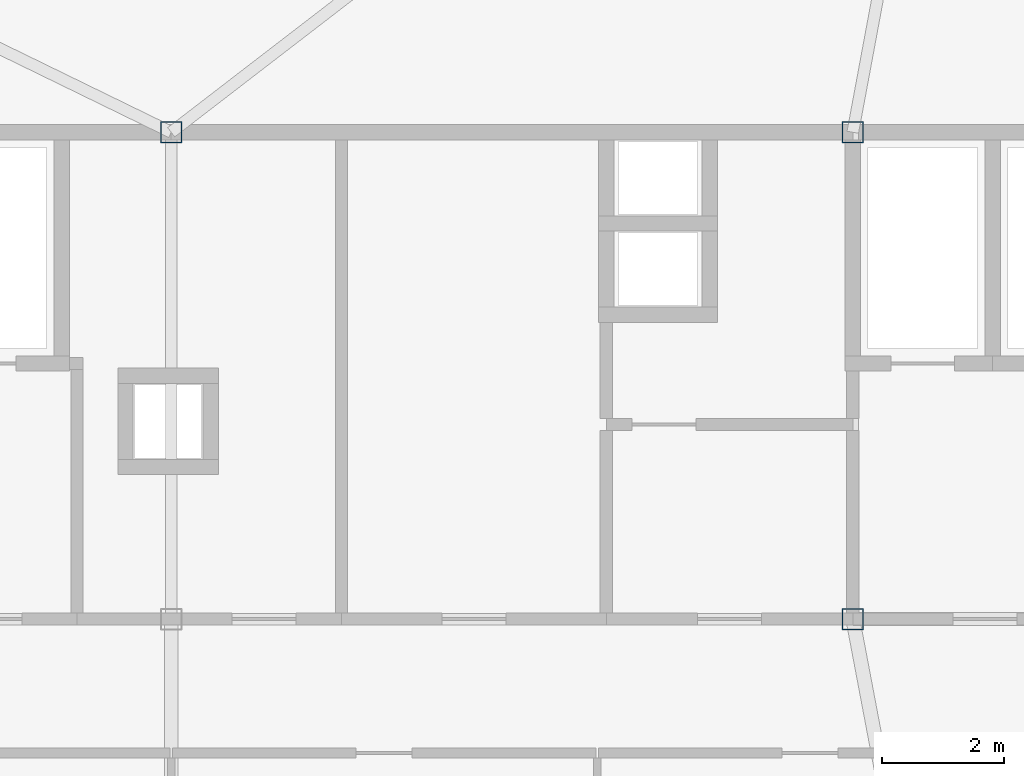
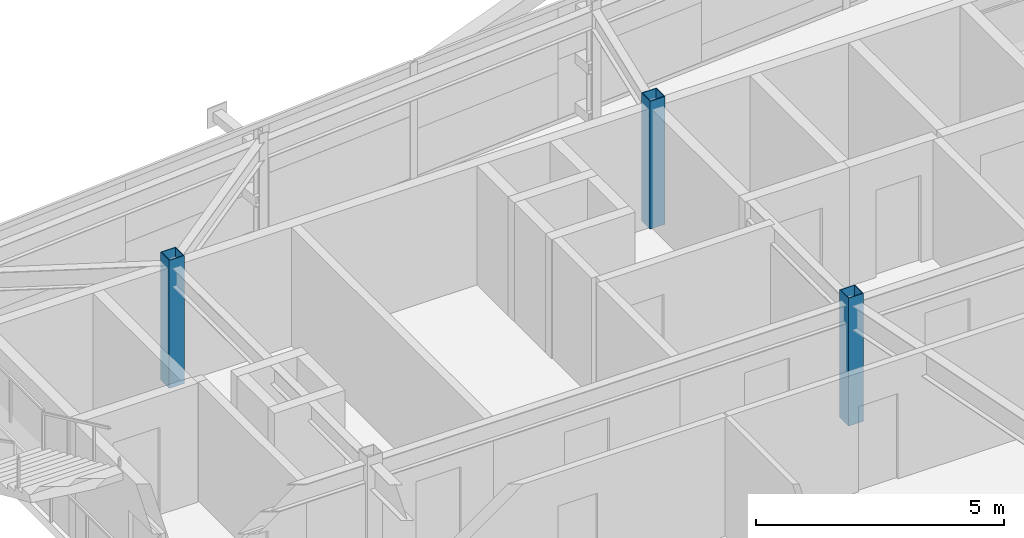
# One storey, part 3 of 37: 3 columns.
"""IFC4 building model written with IfcOpenShell, lengths in metres."""

import ifcopenshell
import ifcopenshell.guid

model = None  # the IFC model being written
_history = None  # IfcOwnerHistory: only IFC2X3 demands one
_inside = {}  # id of a spatial element -> (the spatial element, [elements in it])
_under = {}  # id of a project, library or spatial element -> (it, [spatial elements below it])
_declared = {}  # id of a project -> (the project, [libraries it declares])
_typed = {}  # id of a type object -> (the type object, [elements of that type])
_made_of = {}  # id of a material, layer set ... -> (it, [elements and type objects made of it])


def new_model(schema):
    """Start an empty IFC model of exactly this schema.

    Asked for "IFC4X3", IfcOpenShell would pick the latest addendum, in which some entities
    have other attributes; the version numbers below select the first issue.
    IFC2X3 requires an IfcOwnerHistory on every rooted entity: one is made here for all.
    """
    global model, _history
    if schema == "IFC4X3":
        model = ifcopenshell.file(schema_version=(4, 3, 0, 0))
    else:
        model = ifcopenshell.file(schema=schema)
    _inside.clear()
    _under.clear()
    _declared.clear()
    _typed.clear()
    _made_of.clear()
    _history = None
    if model.schema == "IFC2X3":
        org = make("IfcOrganization", Name="unknown")
        user = make(
            "IfcPersonAndOrganization",
            ThePerson=make("IfcPerson", FamilyName="unknown"),
            TheOrganization=org,
        )
        app = make(
            "IfcApplication",
            ApplicationDeveloper=org,
            Version="unknown",
            ApplicationFullName="unknown",
            ApplicationIdentifier="unknown",
        )
        _history = make(
            "IfcOwnerHistory",
            OwningUser=user,
            OwningApplication=app,
            ChangeAction="ADDED",
            CreationDate=0,
        )
    return model


def make(cls, **values):
    """One entity of the class cls with the attributes given. An attribute that is None is left unset."""
    return model.create_entity(
        cls, **{name: value for name, value in values.items() if value is not None}
    )


def rooted(cls, **values):
    """An entity with a GlobalId (a new one), such as an element, a storey or a relation."""
    return make(cls, GlobalId=ifcopenshell.guid.new(), OwnerHistory=_history, **values)


def si_unit(unit_type, name, prefix=None):
    """IfcSIUnit, for example si_unit("LENGTHUNIT", "METRE", prefix="MILLI")."""
    return make("IfcSIUnit", UnitType=unit_type, Prefix=prefix, Name=name)


def assignment(units):
    """IfcUnitAssignment: the units of a project."""
    return None if units is None else make("IfcUnitAssignment", Units=units)


def point(xyz):
    """IfcCartesianPoint."""
    return None if xyz is None else make("IfcCartesianPoint", Coordinates=xyz)


def direction(xyz):
    """IfcDirection."""
    return None if xyz is None else make("IfcDirection", DirectionRatios=xyz)


def frame(location, z_axis=None, x_axis=None):
    """IfcAxis2Placement3D, a coordinate frame: its origin and axes. An axis left out is left unset."""
    return make(
        "IfcAxis2Placement3D",
        Location=point(location),
        Axis=direction(z_axis),
        RefDirection=direction(x_axis),
    )


def frame_2d(location, x_axis=None):
    """IfcAxis2Placement2D, a coordinate frame in the plane: its origin and x axis."""
    return make(
        "IfcAxis2Placement2D", Location=point(location), RefDirection=direction(x_axis)
    )


def origin():
    """The frame at (0, 0, 0) with its axes left unset."""
    return frame((0.0, 0.0, 0.0))


def origin_2d():
    """The frame at (0, 0) in the plane with its x axis left unset."""
    return frame_2d((0.0, 0.0))


def place(relative_to, where):
    """IfcLocalPlacement: puts the frame where relative to a parent placement (None: the world)."""
    return make(
        "IfcLocalPlacement", PlacementRelTo=relative_to, RelativePlacement=where
    )


def context(
    kind, dimensions, precision=None, world=None, true_north=None, identifier=None
):
    """IfcGeometricRepresentationContext, for example the 3D "Model" context."""
    return make(
        "IfcGeometricRepresentationContext",
        ContextIdentifier=identifier,
        ContextType=kind,
        CoordinateSpaceDimension=dimensions,
        Precision=precision,
        WorldCoordinateSystem=world,
        TrueNorth=true_north,
    )


def subcontext(parent, identifier, kind, view, scale=None):
    """IfcGeometricRepresentationSubContext, for example "Body" below "Model"."""
    return make(
        "IfcGeometricRepresentationSubContext",
        ContextIdentifier=identifier,
        ContextType=kind,
        ParentContext=parent,
        TargetScale=scale,
        TargetView=view,
    )


def project(units=None, contexts=None):
    """IfcProject with its units and contexts."""
    return rooted(
        "IfcProject",
        Name="project",
        RepresentationContexts=contexts,
        UnitsInContext=assignment(units),
    )


def spatial(cls, under=None, at=None, **own):
    """A site, building, storey or space (cls), placed at a placement, below another one or the project."""
    s = rooted(cls, ObjectPlacement=at, **own)
    if under is not None:
        _under.setdefault(under.id(), (under, []))[1].append(s)
    return s


def profile(cls, at=None, kind="AREA", **sizes):
    """A parametric profile (cls). Its sizes go by their IFC names, for example OverallWidth=200.0."""
    return make(cls, ProfileType=kind, Position=at, **sizes)


def hollow_rectangle(**sizes):
    """IfcRectangleHollowProfileDef."""
    return profile("IfcRectangleHollowProfileDef", **sizes)


def extrude(swept, where, along, depth):
    """IfcExtrudedAreaSolid: the profile swept, set in the frame where, extruded along a direction by depth."""
    return make(
        "IfcExtrudedAreaSolid",
        SweptArea=swept,
        Position=where,
        ExtrudedDirection=direction(along),
        Depth=depth,
    )


def shape(context_of_items, identifier, shape_type, items):
    """IfcShapeRepresentation: the items that make up one representation, for example the "Body"."""
    return make(
        "IfcShapeRepresentation",
        ContextOfItems=context_of_items,
        RepresentationIdentifier=identifier,
        RepresentationType=shape_type,
        Items=items,
    )


def source(mapping_origin, context_of_items, identifier, shape_type, items):
    """IfcRepresentationMap: a shape defined once, which mapped items show again and again."""
    return make(
        "IfcRepresentationMap",
        MappingOrigin=mapping_origin,
        MappedRepresentation=shape(context_of_items, identifier, shape_type, items),
    )


def transform(
    local_origin,
    x_axis=None,
    y_axis=None,
    z_axis=None,
    scale=None,
    scale2=None,
    scale3=None,
    uniform=True,
):
    """IfcCartesianTransformationOperator3D, or its non-uniform kind. x_axis, y_axis, z_axis: its Axis1, 2, 3."""
    if uniform:
        return make(
            "IfcCartesianTransformationOperator3D",
            Axis1=direction(x_axis),
            Axis2=direction(y_axis),
            LocalOrigin=point(local_origin),
            Scale=scale,
            Axis3=direction(z_axis),
        )
    return make(
        "IfcCartesianTransformationOperator3DnonUniform",
        Axis1=direction(x_axis),
        Axis2=direction(y_axis),
        LocalOrigin=point(local_origin),
        Scale=scale,
        Axis3=direction(z_axis),
        Scale2=scale2,
        Scale3=scale3,
    )


def mapped(mapping_source, mapping_target):
    """IfcMappedItem: shows the shape of a source again, moved by a transform."""
    return make(
        "IfcMappedItem", MappingSource=mapping_source, MappingTarget=mapping_target
    )


def material(Name=None, Category=None):
    """IfcMaterial."""
    return make("IfcMaterial", Name=Name, Category=Category)


def material_profile(
    of_material, cross_section, Name=None, Category=None, Priority=None
):
    """IfcMaterialProfile: a cross section and its material."""
    return make(
        "IfcMaterialProfile",
        Name=Name,
        Material=of_material,
        Profile=cross_section,
        Priority=Priority,
        Category=Category,
    )


def profile_set(profiles, Name=None, composite=None):
    """IfcMaterialProfileSet."""
    return make(
        "IfcMaterialProfileSet",
        Name=Name,
        MaterialProfiles=profiles,
        CompositeProfile=composite,
    )


def made_of(thing, what):
    """Note that an element or type object is made of a material, layer set ...; save() writes the relation."""
    if what is not None:
        _made_of.setdefault(what.id(), (what, []))[1].append(thing)
    return thing


def type_object(cls, material=None, **own):
    """A type object (cls), such as IfcWallType, which elements share."""
    return made_of(rooted(cls, **own), material)


def element(
    cls,
    number,
    at=None,
    inside=None,
    cuts=None,
    type_object=None,
    material=None,
    context=None,
    identifier="Body",
    shape_type=None,
    held_by="IfcProductDefinitionShape",
    body=None,
    shapes=None,
    **own,
):
    """One element of the class cls, such as IfcWall. Its Tag is "e" and its number.

    at: its placement. inside: the storey or other place that contains it. cuts: it is an
    opening in that element (IfcRelVoidsElement). A single representation is given by context,
    identifier, shape_type and body (its items); several are given by shapes. held_by: the class
    of the entity that holds the representations. save() writes the other relations.
    """
    e = rooted(cls, Tag="e%d" % number, ObjectPlacement=at, **own)
    if body is not None:
        shapes = [shape(context, identifier, shape_type, body)]
    if shapes is not None:
        e.Representation = make(held_by, Representations=shapes)
    if inside is not None:
        _inside.setdefault(inside.id(), (inside, []))[1].append(e)
    if cuts is not None:
        rooted(
            "IfcRelVoidsElement", RelatingBuildingElement=cuts, RelatedOpeningElement=e
        )
    if type_object is not None:
        _typed.setdefault(type_object.id(), (type_object, []))[1].append(e)
    return made_of(e, material)


def aggregate(whole, parts):
    """IfcRelAggregates: a whole, such as a stair, and the parts it consists of."""
    return rooted("IfcRelAggregates", RelatingObject=whole, RelatedObjects=parts)


def save(model, path):
    """Write the relations noted so far, then the file.

    IfcRelAggregates (storeys below a building ...), IfcRelContainedInSpatialStructure (elements
    in a storey), IfcRelDefinesByType, IfcRelAssociatesMaterial and IfcRelDeclares: one each for
    every whole, place, type object, material and project.
    """
    for whole, parts in _under.values():
        aggregate(whole, parts)
    for where, things in _inside.values():
        rooted(
            "IfcRelContainedInSpatialStructure",
            RelatedElements=things,
            RelatingStructure=where,
        )
    for kind, things in _typed.values():
        rooted("IfcRelDefinesByType", RelatedObjects=things, RelatingType=kind)
    for what, things in _made_of.values():
        rooted("IfcRelAssociatesMaterial", RelatedObjects=things, RelatingMaterial=what)
    for by, libraries in _declared.values():
        rooted("IfcRelDeclares", RelatingContext=by, RelatedDefinitions=libraries)
    model.write(path)


model = new_model("IFC4")

# Units and contexts
model_context = context("Model", 3, precision=1e-05, world=origin(), true_north=direction((0.0, 1.0)))
body_context = subcontext(model_context, "Body", "Model", "MODEL_VIEW")
ifc_project = project(units=[si_unit("LENGTHUNIT", "METRE"), si_unit("AREAUNIT", "SQUARE_METRE"), si_unit("VOLUMEUNIT", "CUBIC_METRE"), si_unit("PLANEANGLEUNIT", "RADIAN"), si_unit("MASSUNIT", "GRAM", prefix="KILO")], contexts=[model_context])

# Site, building, storey
site_placement = place(None, origin())
site = spatial("IfcSite", under=ifc_project, at=site_placement, CompositionType="ELEMENT")
building_placement = place(site_placement, origin())
building = spatial("IfcBuilding", under=site, at=building_placement, Name="Taldren Reach Tower", CompositionType="ELEMENT")
storey_placement = place(building_placement, frame((0.0, 0.0, 172.550048828125)))
storey = spatial("IfcBuildingStorey", under=building, at=storey_placement, Name="L52", CompositionType="ELEMENT", Elevation=172.550048828125)

# Columns
ifc_material = material(Name="Steel Gr 450 (C450L0)", Category="steel")
ifc_material_profile = material_profile(ifc_material, hollow_rectangle(XDim=0.35009765625, YDim=0.35009765625, WallThickness=0.01611328125, at=origin_2d()), Name="350x350x16.0SHS")
ifc_profile_set = profile_set([ifc_material_profile], Name="Steel Gr 450 (C450L0)")
column_type = type_object("IfcColumnType", Name="COL-SHS350", PredefinedType="COLUMN", material=ifc_profile_set)
shared_shape = source(origin(), body_context, "Body", "SweptSolid", [
    extrude(hollow_rectangle(XDim=0.35009765625, YDim=0.35009765625, WallThickness=0.01611328125, at=origin_2d()), origin(), (0.0, 0.0, 1.0), 3.14990234375),
])
for number, where, z_axis, x_axis, name in (
    (1, (39.199951171875, 24.0, 0.0), (0.0, 0.0, 1.0), (1.0, 0.0, 0.0), "Mega column MC-C3 L52"),
    (2, (28.0, 32.0, 0.0), (0.0, 0.0, 1.0), (1.0, 0.0, 0.0), "Mega column MC-C6 L52"),
    (3, (39.199951171875, 32.0, 0.0), (0.0, 0.0, 1.0), (1.0, 0.0, 0.0), "Mega column MC-C7 L52"),
):
    element("IfcColumn", number, at=place(storey_placement, frame(where, z_axis=z_axis, x_axis=x_axis)), inside=storey, type_object=column_type, Name=name, PredefinedType="COLUMN", context=body_context, shape_type="MappedRepresentation", body=[
        mapped(shared_shape, transform((0.0, 0.0, 0.0), scale=1.0)),
    ])

save(model, "model.ifc")
